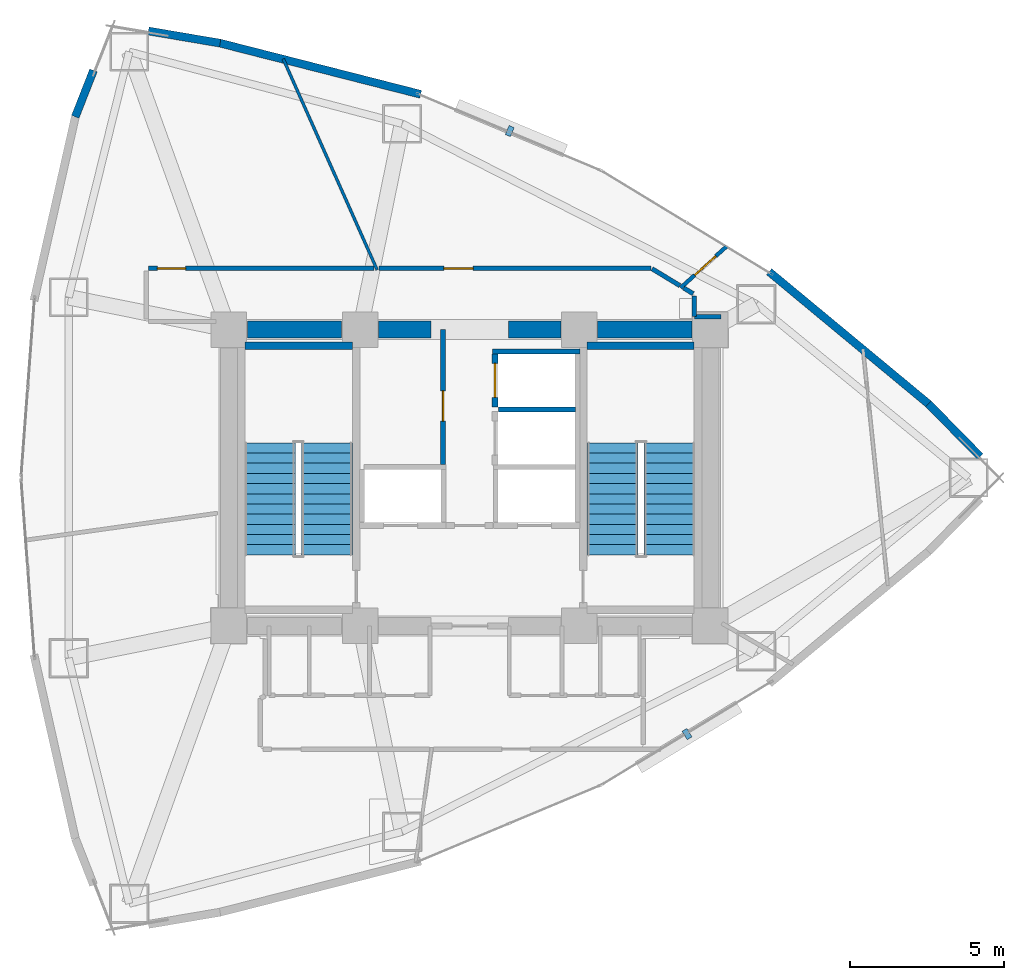
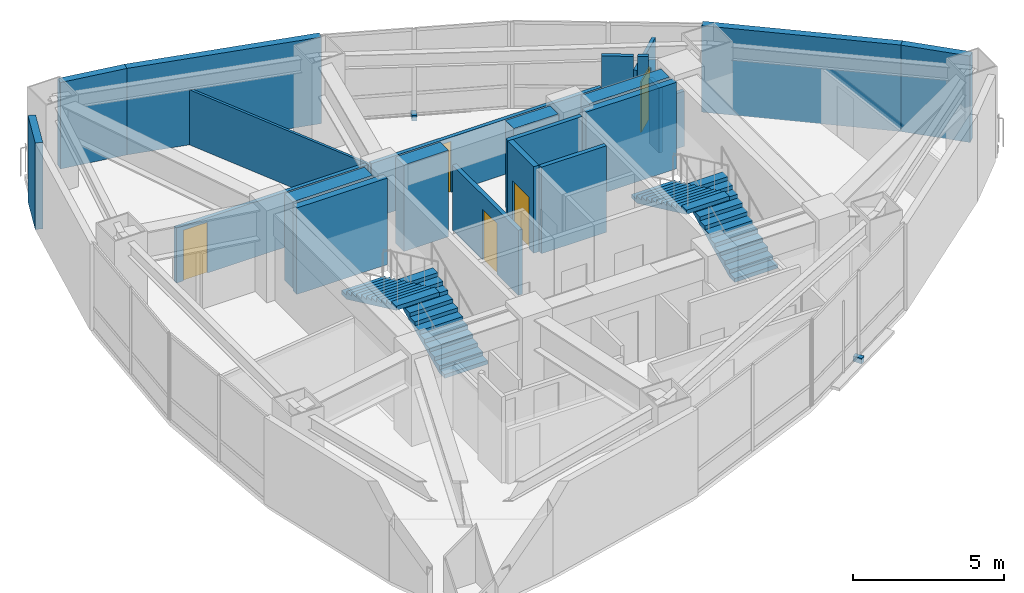
# One storey, part 15 of 17: 23 walls, 5 doors, 4 stair flights, 2 discrete accessories, 5 openings, 2 elements without a shape of their own.
"""IFC4 building model written with IfcOpenShell, lengths in metres."""

from ifc_helpers import new_model, si_unit, direction, frame, frame_2d, origin, origin_2d, place, context, subcontext, project, spatial, polyline, rectangle, outline, extrude, material, layer, layer_set, type_object, element, fill, aggregate, save


model = new_model("IFC4")

# Units and contexts
model_context = context("Model", 3, precision=1e-05, world=origin(), true_north=direction((0.0, 1.0)))
body_context = subcontext(model_context, "Body", "Model", "MODEL_VIEW")
ifc_project = project(units=[si_unit("LENGTHUNIT", "METRE"), si_unit("AREAUNIT", "SQUARE_METRE"), si_unit("VOLUMEUNIT", "CUBIC_METRE"), si_unit("PLANEANGLEUNIT", "RADIAN"), si_unit("MASSUNIT", "GRAM", prefix="KILO")], contexts=[model_context])

# Site, building, storey
site_placement = place(None, origin())
site = spatial("IfcSite", under=ifc_project, at=site_placement, CompositionType="ELEMENT")
building_placement = place(site_placement, origin())
building = spatial("IfcBuilding", under=site, at=building_placement, Name="Menara Vayukalpa", CompositionType="ELEMENT")
storey_placement = place(building_placement, frame((0.0, 0.0, 133.739990234375)))
storey = spatial("IfcBuildingStorey", under=building, at=storey_placement, Name="L33", CompositionType="ELEMENT", Elevation=133.739990234375)

# Walls
ifc_material_1 = material(Name="Concrete C60/75", Category="concrete")
ifc_layer_1 = layer(ifc_material_1, 0.550048828125)
ifc_layer_set_1 = layer_set([ifc_layer_1], Name="Concrete C60/75")
wall_type_1 = type_object("IfcWallType", Name="WAL-CW550", PredefinedType="SHEAR", material=ifc_layer_set_1)
wall_1_placement = place(storey_placement, frame((18.39501953125, 26.800048828125, 0.0), z_axis=(0.0, 0.0, 1.0), x_axis=(1.0, 0.0, 0.0)))
element("IfcWall", 1, at=wall_1_placement, inside=storey, type_object=wall_type_1, Name="L33 Buttressed Core Shear Wall CWN1", PredefinedType="SHEAR", context=body_context, shape_type="SweptSolid", body=[
    extrude(rectangle(XDim=3.06005859375, YDim=0.550048828125, at=frame_2d((1.530029296875, 0.0))), origin(), (0.0, 0.0, 1.0), 3.5),
])
wall_2_placement = place(storey_placement, frame((22.64501953125, 26.800048828125, 0.0), z_axis=(0.0, 0.0, 1.0), x_axis=(1.0, 0.0, 0.0)))
element("IfcWall", 2, at=wall_2_placement, inside=storey, type_object=wall_type_1, Name="L33 Buttressed Core Shear Wall CWN2", PredefinedType="SHEAR", context=body_context, shape_type="SweptSolid", body=[
    extrude(rectangle(XDim=1.705078125, YDim=0.550048828125, at=frame_2d((0.8525390625, 0.0))), origin(), (0.0, 0.0, 1.0), 3.5),
])
wall_3_placement = place(storey_placement, frame((26.85009765625, 26.800048828125, 0.0), z_axis=(0.0, 0.0, 1.0), x_axis=(1.0, 0.0, 0.0)))
element("IfcWall", 3, at=wall_3_placement, inside=storey, type_object=wall_type_1, Name="L33 Buttressed Core Shear Wall CWN3", PredefinedType="SHEAR", context=body_context, shape_type="SweptSolid", body=[
    extrude(rectangle(XDim=1.704833984375, YDim=0.550048828125, at=frame_2d((0.8525390625, 0.0))), origin(), (0.0, 0.0, 1.0), 3.5),
])
wall_4_placement = place(storey_placement, frame((29.7451171875, 26.800048828125, 0.0), z_axis=(0.0, 0.0, 1.0), x_axis=(1.0, 0.0, 0.0)))
element("IfcWall", 4, at=wall_4_placement, inside=storey, type_object=wall_type_1, Name="L33 Buttressed Core Shear Wall CWN4", PredefinedType="SHEAR", context=body_context, shape_type="SweptSolid", body=[
    extrude(rectangle(XDim=3.059814453125, YDim=0.550048828125, at=frame_2d((1.52978515625, 0.0))), origin(), (0.0, 0.0, 1.0), 3.5),
])
ifc_material_2 = material(Name="Insulated Precast Concrete C40/50", Category="concrete")
ifc_layer_2 = layer(ifc_material_2, 0.260009765625)
ifc_layer_set_2 = layer_set([ifc_layer_2], Name="Insulated Precast Concrete C40/50")
wall_type_2 = type_object("IfcWallType", Name="WAL-EXT260", PredefinedType="PARTITIONING", material=ifc_layer_set_2)
wall_5_placement = place(storey_placement, frame((40.46337890625, 24.39208984375, 0.0), z_axis=(0.0, 0.0, 1.0), x_axis=(0.700603293449, -0.713550996922, 0.0)))
element("IfcWall", 5, at=wall_5_placement, inside=storey, type_object=wall_type_2, Name="L33 Perimeter Terracotta Pier Wall 02", PredefinedType="PARTITIONING", context=body_context, shape_type="SweptSolid", body=[
    extrude(rectangle(XDim=2.394775390625, YDim=0.260009765625, at=frame_2d((1.197265625, 0.0))), origin(), (0.0, 0.0, 1.0), 3.5),
])
wall_6_placement = place(storey_placement, frame((35.30126953125, 28.672119140625, 0.0), z_axis=(0.0, 0.0, 1.0), x_axis=(0.76975316947, -0.638341646841, 0.0)))
element("IfcWall", 6, at=wall_6_placement, inside=storey, type_object=wall_type_2, Name="L33 Perimeter Terracotta Pier Wall 03", PredefinedType="PARTITIONING", context=body_context, shape_type="SweptSolid", body=[
    extrude(rectangle(XDim=6.718017578125, YDim=0.260009765625, at=frame_2d((3.35888671875, 0.0))), origin(), (0.0, 0.0, 1.0), 3.5),
])
wall_7_placement = place(storey_placement, frame((17.504638671875, 36.08056640625, 0.0), z_axis=(0.0, 0.0, 1.0), x_axis=(0.968981437296, -0.247133514876, 0.0)))
element("IfcWall", 7, at=wall_7_placement, inside=storey, type_object=wall_type_2, Name="L33 Perimeter Terracotta Pier Wall 06", PredefinedType="PARTITIONING", context=body_context, shape_type="SweptSolid", body=[
    extrude(rectangle(XDim=6.717529296875, YDim=0.260009765625, at=frame_2d((3.35888671875, 0.0))), origin(), (0.0, 0.0, 1.0), 3.5),
])
wall_8_placement = place(storey_placement, frame((15.19287109375, 36.472412109375, 0.0), z_axis=(0.0, 0.0, 1.0), x_axis=(0.985905269947, -0.167304508875, 0.0)))
element("IfcWall", 8, at=wall_8_placement, inside=storey, type_object=wall_type_2, Name="L33 Perimeter Terracotta Pier Wall 07", PredefinedType="PARTITIONING", context=body_context, shape_type="SweptSolid", body=[
    extrude(rectangle(XDim=2.356689453125, YDim=0.260009765625, at=frame_2d((1.17822265625, 0.0))), origin(), (0.0, 0.0, 1.0), 3.5),
])
wall_9_placement = place(storey_placement, frame((12.822021484375, 33.69140625, 0.0), z_axis=(0.0, 0.0, 1.0), x_axis=(0.365488551504, 0.930815835018, 0.0)))
element("IfcWall", 9, at=wall_9_placement, inside=storey, type_object=wall_type_2, Name="L33 Perimeter Terracotta Pier Wall 08", PredefinedType="PARTITIONING", context=body_context, shape_type="SweptSolid", body=[
    extrude(rectangle(XDim=1.61376953125, YDim=0.260009765625, at=frame_2d((0.806884765625, 0.0))), origin(), (0.0, 0.0, 1.0), 3.5),
])
ifc_material_3 = material(Name="Lightweight Concrete Blockwork C16/20", Category="masonry")
ifc_layer_3 = layer(ifc_material_3, 0.159912109375)
ifc_layer_set_3 = layer_set([ifc_layer_3], Name="Lightweight Concrete Blockwork C16/20")
wall_type_3 = type_object("IfcWallType", Name="WAL-FR150", PredefinedType="PARTITIONING", material=ifc_layer_set_3)
wall_10_placement = place(storey_placement, frame((26.530029296875, 24.215087890625, 0.0), z_axis=(0.0, 0.0, 1.0), x_axis=(1.0, 0.0, 0.0)))
element("IfcWall", 10, at=wall_10_placement, inside=storey, type_object=wall_type_3, Name="L33 Interior Partition IW-L33-SHM-E32", PredefinedType="PARTITIONING", context=body_context, shape_type="SweptSolid", body=[
    extrude(rectangle(XDim=2.489990234375, YDim=0.159912109375, at=frame_2d((1.2451171875, 0.0))), origin(), (0.0, 0.0, 1.0), 3.5),
])
wall_11_placement = place(storey_placement, frame((26.340087890625, 26.0849609375, 0.0), z_axis=(0.0, 0.0, 1.0), x_axis=(1.0, 0.0, 0.0)))
element("IfcWall", 11, at=wall_11_placement, inside=storey, type_object=wall_type_3, Name="L33 Interior Partition IW-L33-SHM-E2N", PredefinedType="PARTITIONING", context=body_context, shape_type="SweptSolid", body=[
    extrude(rectangle(XDim=2.829833984375, YDim=0.159912109375, at=frame_2d((1.4150390625, 0.0))), origin(), (0.0, 0.0, 1.0), 3.5),
])

# Wall, opening, door
wall_12_placement = place(storey_placement, frame((24.739990234375, 22.429931640625, 0.0), z_axis=(0.0, 0.0, 1.0), x_axis=(0.0, 1.0, 0.0)))
wall_12 = element("IfcWall", 12, at=wall_12_placement, inside=storey, type_object=wall_type_3, Name="L33 Interior Partition IW-L33-LV7W", PredefinedType="PARTITIONING", context=body_context, shape_type="SweptSolid", body=[
    extrude(rectangle(XDim=4.3701171875, YDim=0.159912109375, at=frame_2d((2.18505859375, 0.0))), origin(), (0.0, 0.0, 1.0), 2.630126953125),
])
opening_1_placement = place(wall_12_placement, frame((1.39990234375, 0.0, 0.0)))
opening_1 = element("IfcOpeningElement", 13, at=opening_1_placement, cuts=wall_12, Name="Opening ID3", PredefinedType="OPENING", context=body_context, shape_type="SweptSolid", body=[
    extrude(rectangle(XDim=0.97998046875, YDim=2.06005859375, at=frame_2d((0.489990234375, 1.030029296875))), frame((0.0, 0.08984375, 0.0), z_axis=(0.0, -1.0, 0.0), x_axis=(1.0, 0.0, 0.0)), (0.0, 0.0, 1.0), 0.179931640625),
])
ifc_material_4 = material(Name="Fire-Rated Powder-Coated Steel Door", Category="steel")
door_type_1 = type_object("IfcDoorType", Name="DR-FD60", OperationType="NOTDEFINED", PredefinedType="DOOR", material=ifc_material_4)
door_1_placement = place(opening_1_placement, origin())
door_1 = element("IfcDoor", 14, at=door_1_placement, inside=storey, type_object=door_type_1, Name="L33 Interior Door DR-L33-LV7W", OperationType="SINGLE_SWING_RIGHT", OverallHeight=2.06005859375, OverallWidth=0.97998046875, PredefinedType="DOOR", context=body_context, shape_type="SweptSolid", body=[
    extrude(rectangle(XDim=0.97998046875, YDim=2.06005859375, at=frame_2d((0.489990234375, 1.030029296875))), frame((0.0, 0.02490234375, 0.0), z_axis=(0.0, -1.0, 0.0), x_axis=(1.0, 0.0, 0.0)), (0.0, 0.0, 1.0), 0.050048828125),
])
fill(opening_1, door_1)

ifc_material_5 = material(Name="Lightweight Concrete Blockwork C16/20", Category="masonry")
ifc_layer_4 = layer(ifc_material_5, 0.199951171875)
ifc_layer_set_4 = layer_set([ifc_layer_4], Name="Lightweight Concrete Blockwork C16/20")
wall_type_4 = type_object("IfcWallType", Name="WAL-FR200", PredefinedType="PARTITIONING", material=ifc_layer_set_4)
wall_13_placement = place(storey_placement, frame((26.419921875, 24.2900390625, 0.0), z_axis=(0.0, 0.0, 1.0), x_axis=(0.0, 1.0, 0.0)))
wall_13 = element("IfcWall", 15, at=wall_13_placement, inside=storey, type_object=wall_type_4, Name="L33 Interior Partition IW-L33-SH-E2", PredefinedType="PARTITIONING", context=body_context, shape_type="SweptSolid", body=[
    extrude(rectangle(XDim=1.719970703125, YDim=0.199951171875, at=frame_2d((0.85986328125, 0.0))), origin(), (0.0, 0.0, 1.0), 3.5),
])
opening_2_placement = place(wall_13_placement, frame((0.31005859375, 0.0, 0.0)))
opening_2 = element("IfcOpeningElement", 16, at=opening_2_placement, cuts=wall_13, Name="Opening LD1", PredefinedType="OPENING", context=body_context, shape_type="SweptSolid", body=[
    extrude(rectangle(XDim=1.10009765625, YDim=2.080078125, at=frame_2d((0.550048828125, 1.0400390625))), frame((0.0, 0.10986328125, 0.0), z_axis=(0.0, -1.0, 0.0), x_axis=(1.0, 0.0, 0.0)), (0.0, 0.0, 1.0), 0.219970703125),
])
ifc_material_6 = material(Name="Brushed Stainless Steel 316 Lift Door", Category="steel")
door_type_2 = type_object("IfcDoorType", Name="DR-LD110", OperationType="NOTDEFINED", PredefinedType="DOOR", material=ifc_material_6)
door_2_placement = place(opening_2_placement, origin())
door_2 = element("IfcDoor", 17, at=door_2_placement, inside=storey, type_object=door_type_2, Name="L33 Interior Door DR-L33-LD-E2", OperationType="DOUBLE_DOOR_SLIDING", OverallHeight=2.080078125, OverallWidth=1.10009765625, PredefinedType="DOOR", context=body_context, shape_type="SweptSolid", body=[
    extrude(rectangle(XDim=1.10009765625, YDim=2.080078125, at=frame_2d((0.550048828125, 1.0400390625))), frame((0.0, 0.02490234375, 0.0), z_axis=(0.0, -1.0, 0.0), x_axis=(1.0, 0.0, 0.0)), (0.0, 0.0, 1.0), 0.050048828125),
])
fill(opening_2, door_2)

# Wall
ifc_material_7 = material(Name="Glazed Demountable Office Partition", Category="glass")
ifc_layer_5 = layer(ifc_material_7, 0.094970703125)
ifc_layer_set_5 = layer_set([ifc_layer_5], Name="Glazed Demountable Office Partition")
wall_type_5 = type_object("IfcWallType", Name="WAL-PT100", PredefinedType="PARTITIONING", material=ifc_layer_set_5)
wall_14_placement = place(storey_placement, frame((22.603515625, 28.72998046875, 0.0), z_axis=(0.0, 0.0, 1.0), x_axis=(-0.406704404914, 0.913559810316, 0.0)))
element("IfcWall", 18, at=wall_14_placement, inside=storey, type_object=wall_type_5, Name="L33 Interior Partition IW-L33-RDIV02", PredefinedType="PARTITIONING", context=body_context, shape_type="SweptSolid", body=[
    extrude(rectangle(XDim=7.48388671875, YDim=0.094970703125, at=frame_2d((3.741943359375, 0.0))), origin(), (0.0, 0.0, 1.0), 2.22998046875),
])

# Wall, opening, door
ifc_material_8 = material(Name="Gypsum Drywall Steel Stud Assembly", Category="steel")
ifc_layer_6 = layer(ifc_material_8, 0.125)
ifc_layer_set_6 = layer_set([ifc_layer_6], Name="Gypsum Drywall Steel Stud Assembly")
wall_type_6 = type_object("IfcWallType", Name="WAL-PT125", PredefinedType="PARTITIONING", material=ifc_layer_set_6)
wall_15_placement = place(storey_placement, frame((32.430908203125, 28.150390625, 0.0), z_axis=(0.0, 0.0, 1.0), x_axis=(0.743089306632, 0.66919226114, 0.0)))
wall_15 = element("IfcWall", 19, at=wall_15_placement, inside=storey, type_object=wall_type_6, Name="L33 Interior Partition IW-L33-RDIV01", PredefinedType="PARTITIONING", context=body_context, shape_type="SweptSolid", body=[
    extrude(rectangle(XDim=2.015380859375, YDim=0.125, at=frame_2d((1.0078125, 0.0))), origin(), (0.0, 0.0, 1.0), 2.929931640625),
])
opening_3_placement = place(wall_15_placement, frame((0.614501953125, 0.0, 0.0)))
opening_3 = element("IfcOpeningElement", 20, at=opening_3_placement, cuts=wall_15, Name="Opening ID6", PredefinedType="OPENING", context=body_context, shape_type="SweptSolid", body=[
    extrude(rectangle(XDim=0.919921875, YDim=2.050048828125, at=frame_2d((0.4599609375, 1.02490234375))), frame((0.0, 0.072509765625, 0.0), z_axis=(0.0, -1.0, 0.0), x_axis=(1.0, 0.0, 0.0)), (0.0, 0.0, 1.0), 0.14501953125),
])
ifc_material_9 = material(Name="Acoustic Hardwood Veneer Timber Door", Category="wood")
door_type_3 = type_object("IfcDoorType", Name="DR-INT92", OperationType="NOTDEFINED", PredefinedType="DOOR", material=ifc_material_9)
door_3_placement = place(opening_3_placement, origin())
door_3 = element("IfcDoor", 21, at=door_3_placement, inside=storey, type_object=door_type_3, Name="L33 Interior Door DR-L33-STE04", OperationType="SINGLE_SWING_LEFT", OverallHeight=2.050048828125, OverallWidth=0.919921875, PredefinedType="DOOR", context=body_context, shape_type="SweptSolid", body=[
    extrude(rectangle(XDim=0.919921875, YDim=2.050048828125, at=frame_2d((0.4599609375, 1.02490234375))), frame((0.0, 0.02490234375, 0.0), z_axis=(0.0, -1.0, 0.0), x_axis=(1.0, 0.0, 0.0)), (0.0, 0.0, 1.0), 0.050048828125),
])
fill(opening_3, door_3)

# Walls
ifc_material_10 = material(Name="Gypsum Drywall Acoustic Stud Assembly", Category="masonry")
ifc_layer_7 = layer(ifc_material_10, 0.14501953125)
ifc_layer_set_7 = layer_set([ifc_layer_7], Name="Gypsum Drywall Acoustic Stud Assembly")
wall_type_7 = type_object("IfcWallType", Name="WAL-PT150", PredefinedType="PARTITIONING", material=ifc_layer_set_7)
wall_16_placement = place(storey_placement, frame((33.739990234375, 27.219970703125, 0.0), z_axis=(0.0, 0.0, 1.0), x_axis=(-1.0, 0.0, 0.0)))
element("IfcWall", 22, at=wall_16_placement, inside=storey, type_object=wall_type_7, Name="L33 Interior Partition IW-L33-CRM04-1", PredefinedType="PARTITIONING", context=body_context, shape_type="SweptSolid", body=[
    extrude(rectangle(XDim=0.860107421875, YDim=0.14501953125, at=frame_2d((0.43017578125, 0.0))), origin(), (0.0, 0.0, 1.0), 2.22998046875),
])
wall_17_placement = place(storey_placement, frame((32.8798828125, 27.219970703125, 0.0), z_axis=(0.0, 0.0, 1.0), x_axis=(0.0, 1.0, 0.0)))
element("IfcWall", 23, at=wall_17_placement, inside=storey, type_object=wall_type_7, Name="L33 Interior Partition IW-L33-CRM04-2", PredefinedType="PARTITIONING", context=body_context, shape_type="SweptSolid", body=[
    extrude(rectangle(XDim=0.671142578125, YDim=0.14501953125, at=frame_2d((0.33544921875, 0.0))), origin(), (0.0, 0.0, 1.0), 2.630126953125),
])
wall_18_placement = place(storey_placement, frame((32.841552734375, 27.959716796875, 0.0), z_axis=(0.0, 0.0, 1.0), x_axis=(-0.855043817708, 0.5185557538, 0.0)))
element("IfcWall", 24, at=wall_18_placement, inside=storey, type_object=wall_type_7, Name="L33 Interior Partition IW-L33-CRM04-3", PredefinedType="PARTITIONING", context=body_context, shape_type="SweptSolid", body=[
    extrude(rectangle(XDim=0.362060546875, YDim=0.14501953125, at=frame_2d((0.18115234375, 0.0))), origin(), (0.0, 0.0, 1.0), 3.5),
])
wall_19_placement = place(storey_placement, frame((32.4072265625, 28.223388671875, 0.0), z_axis=(0.0, 0.0, 1.0), x_axis=(-0.854710125493, 0.519105578259, 0.0)))
element("IfcWall", 25, at=wall_19_placement, inside=storey, type_object=wall_type_7, Name="L33 Interior Partition IW-L33-CRM05-1", PredefinedType="PARTITIONING", context=body_context, shape_type="SweptSolid", body=[
    extrude(rectangle(XDim=1.0498046875, YDim=0.14501953125, at=frame_2d((0.52490234375, 0.0))), origin(), (0.0, 0.0, 1.0), 3.5),
])

# Wall, opening, door
wall_20_placement = place(storey_placement, frame((31.468505859375, 28.780029296875, 0.0), z_axis=(0.0, 0.0, 1.0), x_axis=(-1.0, 0.0, 0.0)))
wall_20 = element("IfcWall", 26, at=wall_20_placement, inside=storey, type_object=wall_type_7, Name="L33 Interior Partition IW-L33-CRM05-2", PredefinedType="PARTITIONING", context=body_context, shape_type="SweptSolid", body=[
    extrude(rectangle(XDim=8.810546875, YDim=0.14501953125, at=frame_2d((4.4052734375, 0.0))), origin(), (0.0, 0.0, 1.0), 2.22998046875),
])
opening_4_placement = place(wall_20_placement, frame((5.75537109375, 0.0, 0.0)))
opening_4 = element("IfcOpeningElement", 27, at=opening_4_placement, cuts=wall_20, Name="Opening ID5", PredefinedType="OPENING", context=body_context, shape_type="SweptSolid", body=[
    extrude(rectangle(XDim=0.949951171875, YDim=2.06005859375, at=frame_2d((0.47509765625, 1.030029296875))), frame((0.0, 0.08251953125, 0.0), z_axis=(0.0, -1.0, 0.0), x_axis=(1.0, 0.0, 0.0)), (0.0, 0.0, 1.0), 0.1650390625),
])
ifc_material_11 = material(Name="Acoustic Hardwood Veneer Timber Door", Category="wood")
door_type_4 = type_object("IfcDoorType", Name="DR-INT95", OperationType="NOTDEFINED", PredefinedType="DOOR", material=ifc_material_11)
door_4_placement = place(opening_4_placement, origin())
door_4 = element("IfcDoor", 28, at=door_4_placement, inside=storey, type_object=door_type_4, Name="L33 Interior Door DR-L33-RM05", OperationType="SINGLE_SWING_LEFT", OverallHeight=2.06005859375, OverallWidth=0.949951171875, PredefinedType="DOOR", context=body_context, shape_type="SweptSolid", body=[
    extrude(rectangle(XDim=0.949951171875, YDim=2.06005859375, at=frame_2d((0.47509765625, 1.030029296875))), frame((0.0, 0.02490234375, 0.0), z_axis=(0.0, -1.0, 0.0), x_axis=(1.0, 0.0, 0.0)), (0.0, 0.0, 1.0), 0.050048828125),
])
fill(opening_4, door_4)

wall_21_placement = place(storey_placement, frame((22.504638671875, 28.780029296875, 0.0), z_axis=(0.0, 0.0, 1.0), x_axis=(-1.0, 0.0, 0.0)))
wall_21 = element("IfcWall", 29, at=wall_21_placement, inside=storey, type_object=wall_type_7, Name="L33 Interior Partition IW-L33-CRM06-1", PredefinedType="PARTITIONING", context=body_context, shape_type="SweptSolid", body=[
    extrude(rectangle(XDim=7.3046875, YDim=0.14501953125, at=frame_2d((3.65234375, 0.0))), origin(), (0.0, 0.0, 1.0), 2.22998046875),
])
opening_5_placement = place(wall_21_placement, frame((6.104736328125, 0.0, 0.0)))
opening_5 = element("IfcOpeningElement", 30, at=opening_5_placement, cuts=wall_21, Name="Opening ID6", PredefinedType="OPENING", context=body_context, shape_type="SweptSolid", body=[
    extrude(rectangle(XDim=0.919921875, YDim=2.050048828125, at=frame_2d((0.4599609375, 1.02490234375))), frame((0.0, 0.08251953125, 0.0), z_axis=(0.0, -1.0, 0.0), x_axis=(1.0, 0.0, 0.0)), (0.0, 0.0, 1.0), 0.1650390625),
])
door_5_placement = place(opening_5_placement, origin())
door_5 = element("IfcDoor", 31, at=door_5_placement, inside=storey, type_object=door_type_3, Name="L33 Interior Door DR-L33-RM06", OperationType="SINGLE_SWING_RIGHT", OverallHeight=2.050048828125, OverallWidth=0.919921875, PredefinedType="DOOR", context=body_context, shape_type="SweptSolid", body=[
    extrude(rectangle(XDim=0.919921875, YDim=2.050048828125, at=frame_2d((0.4599609375, 1.02490234375))), frame((0.0, 0.02490234375, 0.0), z_axis=(0.0, -1.0, 0.0), x_axis=(1.0, 0.0, 0.0)), (0.0, 0.0, 1.0), 0.050048828125),
])
fill(opening_5, door_5)

# Walls
ifc_material_12 = material(Name="Concrete C50/60", Category="concrete")
ifc_layer_8 = layer(ifc_material_12, 0.25)
ifc_layer_set_8 = layer_set([ifc_layer_8], Name="Concrete C50/60")
wall_type_8 = type_object("IfcWallType", Name="WAL-SW250", PredefinedType="SHEAR", material=ifc_layer_set_8)
wall_22_placement = place(storey_placement, frame((18.3291015625, 26.27490234375, 0.0), z_axis=(0.0, 0.0, 1.0), x_axis=(1.0, 0.0, 0.0)))
element("IfcWall", 32, at=wall_22_placement, inside=storey, type_object=wall_type_8, Name="L33 ST1 Structural Stair Shaft Wall N", PredefinedType="SHEAR", context=body_context, shape_type="SweptSolid", body=[
    extrude(rectangle(XDim=3.470947265625, YDim=0.25, at=frame_2d((1.7353515625, 0.0))), origin(), (0.0, 0.0, 1.0), 3.5),
])
wall_23_placement = place(storey_placement, frame((29.39990234375, 26.27490234375, 0.0), z_axis=(0.0, 0.0, 1.0), x_axis=(1.0, 0.0, 0.0)))
element("IfcWall", 33, at=wall_23_placement, inside=storey, type_object=wall_type_8, Name="L33 ST2 Structural Stair Shaft Wall N", PredefinedType="SHEAR", context=body_context, shape_type="SweptSolid", body=[
    extrude(rectangle(XDim=3.47119140625, YDim=0.25, at=frame_2d((1.735595703125, 0.0))), origin(), (0.0, 0.0, 1.0), 3.5),
])

# Stair, stair flights
ifc_material_13 = material(Name="Precast Concrete C40/50", Category="concrete")
stair_type = type_object("IfcStairType", Name="STR-T04", PredefinedType="DOUBLE_RETURN_STAIR", material=ifc_material_13)
stair_1_placement = place(storey_placement, origin())
stair_1 = element("IfcStair", 34, at=stair_1_placement, inside=storey, type_object=stair_type, Name="L33 Core Exit Stair ST-1", PredefinedType="DOUBLE_RETURN_STAIR")
ifc_material_14 = material(Name="Precast Concrete C40/50", Category="concrete")
stair_flight_type = type_object("IfcStairFlightType", Name="STF-T04", PredefinedType="STRAIGHT", material=ifc_material_14)
stair_flight_1_placement = place(storey_placement, frame((20.97509765625, 19.5, 0.0), z_axis=(0.0, 0.0, 1.0), x_axis=(0.0, 1.0, 0.0)))
stair_flight_1 = element("IfcStairFlight", 35, at=stair_flight_1_placement, type_object=stair_flight_type, Name="ST-1 flight 1", NumberOfRisers=12, NumberOfTreads=11, PredefinedType="STRAIGHT", RiserHeight=0.155, TreadLength=0.33, context=body_context, shape_type="SweptSolid", body=[
    extrude(outline(polyline([(0.0, 0.0), (0.0, 0.155029296875), (0.330078125, 0.155029296875), (0.330078125, 0.31005859375), (0.659912109375, 0.31005859375), (0.659912109375, 0.465087890625), (0.989990234375, 0.465087890625), (0.989990234375, 0.6201171875), (1.320068359375, 0.6201171875), (1.320068359375, 0.77490234375), (1.64990234375, 0.77490234375), (1.64990234375, 0.929931640625), (1.97998046875, 0.929931640625), (1.97998046875, 1.0849609375), (2.31005859375, 1.0849609375), (2.31005859375, 1.239990234375), (2.639892578125, 1.239990234375), (2.639892578125, 1.39501953125), (2.969970703125, 1.39501953125), (2.969970703125, 1.550048828125), (3.300048828125, 1.550048828125), (3.300048828125, 1.705078125), (3.6298828125, 1.705078125), (3.6298828125, 1.860107421875), (3.6298828125, 1.539306640625), (0.3525390625, 0.0), (0.0, 0.0)])), frame((0.0, 0.824951171875, 0.0), z_axis=(0.0, -1.0, 0.0), x_axis=(1.0, 0.0, 0.0)), (0.0, 0.0, 1.0), 1.64990234375),
])
stair_flight_2_placement = place(storey_placement, frame((19.125, 23.1298828125, 1.860107421875), z_axis=(0.0, 0.0, 1.0), x_axis=(0.0, -1.0, 0.0)))
stair_flight_2 = element("IfcStairFlight", 36, at=stair_flight_2_placement, type_object=stair_flight_type, Name="ST-1 flight 2", NumberOfRisers=12, NumberOfTreads=11, PredefinedType="STRAIGHT", RiserHeight=0.155, TreadLength=0.33, context=body_context, shape_type="SweptSolid", body=[
    extrude(outline(polyline([(0.0, 0.0), (0.0, 0.155029296875), (0.330078125, 0.155029296875), (0.330078125, 0.31005859375), (0.659912109375, 0.31005859375), (0.659912109375, 0.465087890625), (0.989990234375, 0.465087890625), (0.989990234375, 0.6201171875), (1.320068359375, 0.6201171875), (1.320068359375, 0.77490234375), (1.64990234375, 0.77490234375), (1.64990234375, 0.929931640625), (1.97998046875, 0.929931640625), (1.97998046875, 1.0849609375), (2.31005859375, 1.0849609375), (2.31005859375, 1.239990234375), (2.639892578125, 1.239990234375), (2.639892578125, 1.39501953125), (2.969970703125, 1.39501953125), (2.969970703125, 1.550048828125), (3.300048828125, 1.550048828125), (3.300048828125, 1.705078125), (3.6298828125, 1.705078125), (3.6298828125, 1.860107421875), (3.6298828125, 1.539306640625), (0.3525390625, 0.0), (0.0, 0.0)])), frame((0.0, 0.824951171875, 0.0), z_axis=(0.0, -1.0, 0.0), x_axis=(1.0, 0.0, 0.0)), (0.0, 0.0, 1.0), 1.64990234375),
])
aggregate(stair_1, [stair_flight_1, stair_flight_2])

stair_2_placement = place(storey_placement, origin())
stair_2 = element("IfcStair", 37, at=stair_2_placement, inside=storey, type_object=stair_type, Name="L33 Core Exit Stair ST-2", PredefinedType="DOUBLE_RETURN_STAIR")
stair_flight_3_placement = place(storey_placement, frame((32.074951171875, 19.5, 0.0), z_axis=(0.0, 0.0, 1.0), x_axis=(0.0, 1.0, 0.0)))
stair_flight_3 = element("IfcStairFlight", 38, at=stair_flight_3_placement, type_object=stair_flight_type, Name="ST-2 flight 1", NumberOfRisers=12, NumberOfTreads=11, PredefinedType="STRAIGHT", RiserHeight=0.155, TreadLength=0.33, context=body_context, shape_type="SweptSolid", body=[
    extrude(outline(polyline([(0.0, 0.0), (0.0, 0.155029296875), (0.330078125, 0.155029296875), (0.330078125, 0.31005859375), (0.659912109375, 0.31005859375), (0.659912109375, 0.465087890625), (0.989990234375, 0.465087890625), (0.989990234375, 0.6201171875), (1.320068359375, 0.6201171875), (1.320068359375, 0.77490234375), (1.64990234375, 0.77490234375), (1.64990234375, 0.929931640625), (1.97998046875, 0.929931640625), (1.97998046875, 1.0849609375), (2.31005859375, 1.0849609375), (2.31005859375, 1.239990234375), (2.639892578125, 1.239990234375), (2.639892578125, 1.39501953125), (2.969970703125, 1.39501953125), (2.969970703125, 1.550048828125), (3.300048828125, 1.550048828125), (3.300048828125, 1.705078125), (3.6298828125, 1.705078125), (3.6298828125, 1.860107421875), (3.6298828125, 1.539306640625), (0.3525390625, 0.0), (0.0, 0.0)])), frame((0.0, 0.824951171875, 0.0), z_axis=(0.0, -1.0, 0.0), x_axis=(1.0, 0.0, 0.0)), (0.0, 0.0, 1.0), 1.64990234375),
])
stair_flight_4_placement = place(storey_placement, frame((30.22509765625, 23.1298828125, 1.860107421875), z_axis=(0.0, 0.0, 1.0), x_axis=(0.0, -1.0, 0.0)))
stair_flight_4 = element("IfcStairFlight", 39, at=stair_flight_4_placement, type_object=stair_flight_type, Name="ST-2 flight 2", NumberOfRisers=12, NumberOfTreads=11, PredefinedType="STRAIGHT", RiserHeight=0.155, TreadLength=0.33, context=body_context, shape_type="SweptSolid", body=[
    extrude(outline(polyline([(0.0, 0.0), (0.0, 0.155029296875), (0.330078125, 0.155029296875), (0.330078125, 0.31005859375), (0.659912109375, 0.31005859375), (0.659912109375, 0.465087890625), (0.989990234375, 0.465087890625), (0.989990234375, 0.6201171875), (1.320068359375, 0.6201171875), (1.320068359375, 0.77490234375), (1.64990234375, 0.77490234375), (1.64990234375, 0.929931640625), (1.97998046875, 0.929931640625), (1.97998046875, 1.0849609375), (2.31005859375, 1.0849609375), (2.31005859375, 1.239990234375), (2.639892578125, 1.239990234375), (2.639892578125, 1.39501953125), (2.969970703125, 1.39501953125), (2.969970703125, 1.550048828125), (3.300048828125, 1.550048828125), (3.300048828125, 1.705078125), (3.6298828125, 1.705078125), (3.6298828125, 1.860107421875), (3.6298828125, 1.539306640625), (0.3525390625, 0.0), (0.0, 0.0)])), frame((0.0, 0.824951171875, 0.0), z_axis=(0.0, -1.0, 0.0), x_axis=(1.0, 0.0, 0.0)), (0.0, 0.0, 1.0), 1.64990234375),
])
aggregate(stair_2, [stair_flight_3, stair_flight_4])

# Discrete accessories
ifc_material_15 = material(Name="Stainless Steel 316 Sunshade Bracket", Category="steel")
discrete_accessory_type = type_object("IfcDiscreteAccessoryType", Name="ACC-BRK1", PredefinedType="BRACKET", material=ifc_material_15)
for number, where, z_axis, x_axis, name in (
    (40, (26.898193359375, 33.22900390625, -0.16015625), (0.0, 0.0, 1.0), (-0.922544824647, 0.385889940938, 0.0), "L33 Terracotta Sunshade Bracket 05"),
    (41, (32.6416015625, 13.69580078125, -0.16015625), (0.0, 0.0, 1.0), (0.85466730962, 0.519176068272, 0.0), "L33 Terracotta Sunshade Bracket 17"),
):
    element("IfcDiscreteAccessory", number, at=place(storey_placement, frame(where, z_axis=z_axis, x_axis=x_axis)), inside=storey, type_object=discrete_accessory_type, Name=name, PredefinedType="BRACKET", context=body_context, shape_type="SweptSolid", body=[
        extrude(rectangle(XDim=0.179931640625, YDim=0.320068359375, at=origin_2d()), origin(), (0.0, 0.0, 1.0), 0.219970703125),
    ])

save(model, "model.ifc")
